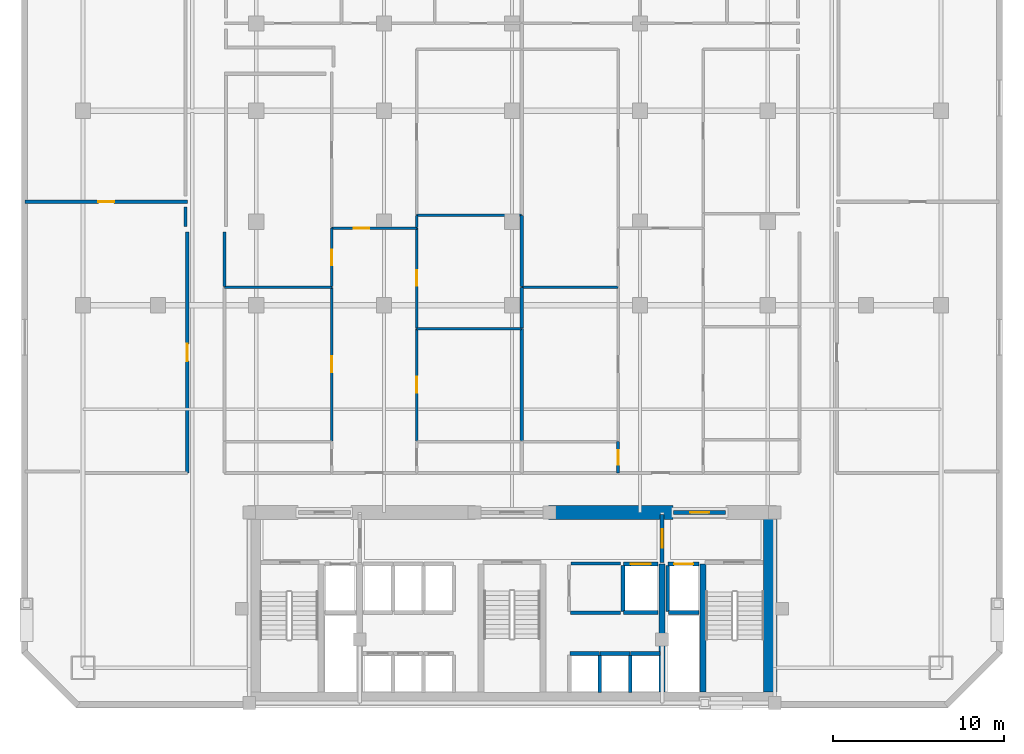
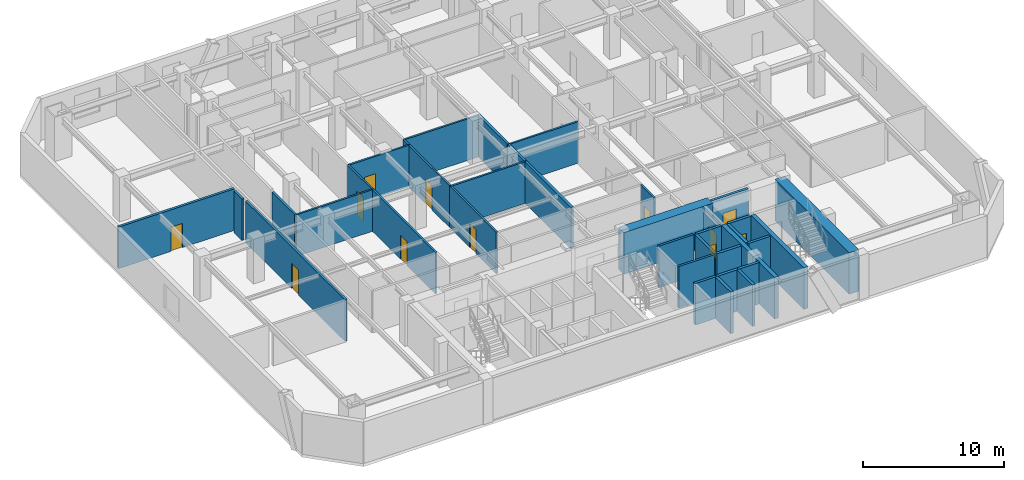
# One storey, part 4 of 8: 37 walls, 12 doors, 12 openings.
"""IFC4 building model written with IfcOpenShell, lengths in metres."""

from ifc_helpers import new_model, si_unit, direction, frame, frame_2d, origin, place, context, subcontext, project, spatial, rectangle, extrude, material, layer, layer_set, type_object, element, fill, save


model = new_model("IFC4")

# Units and contexts
model_context = context("Model", 3, precision=1e-05, world=origin(), true_north=direction((0.0, 1.0)))
body_context = subcontext(model_context, "Body", "Model", "MODEL_VIEW")
ifc_project = project(units=[si_unit("LENGTHUNIT", "METRE"), si_unit("AREAUNIT", "SQUARE_METRE"), si_unit("VOLUMEUNIT", "CUBIC_METRE"), si_unit("PLANEANGLEUNIT", "RADIAN"), si_unit("MASSUNIT", "GRAM", prefix="KILO")], contexts=[model_context])

# Site, building, storey
site_placement = place(None, origin())
site = spatial("IfcSite", under=ifc_project, at=site_placement, CompositionType="ELEMENT")
building_placement = place(site_placement, origin())
building = spatial("IfcBuilding", under=site, at=building_placement, Name="Ventersveld Concourse Tower", CompositionType="ELEMENT")
storey_placement = place(building_placement, frame((0.0, 0.0, 33.64990234375)))
storey = spatial("IfcBuildingStorey", under=building, at=storey_placement, Name="L07", CompositionType="ELEMENT", Elevation=33.64990234375)

# Walls
ifc_material_1 = material(Name="Concrete C60/75", Category="concrete")
ifc_layer_1 = layer(ifc_material_1, 0.35009765625)
ifc_layer_set_1 = layer_set([ifc_layer_1], Name="Concrete C60/75")
wall_type_1 = type_object("IfcWallType", Name="WL-CORE-350L", PredefinedType="SHEAR", material=ifc_layer_set_1)
for number, where, z_axis, x_axis, name in (
    (1, (37.550048828125, 0.919921875, 0.0), (0.0, 0.0, 1.0), (0.0, 1.0, 0.0), "L07 Core Internal Shear Web W-SVL-W"),
    (2, (39.9599609375, 0.919921875, 0.0), (0.0, 0.0, 1.0), (0.0, 1.0, 0.0), "L07 Core Internal Shear Web W-ST2-W"),
):
    element("IfcWall", number, at=place(storey_placement, frame(where, z_axis=z_axis, x_axis=x_axis)), inside=storey, type_object=wall_type_1, Name=name, PredefinedType="SHEAR", context=body_context, shape_type="SweptSolid", body=[
        extrude(rectangle(XDim=7.5, YDim=0.35009765625, at=frame_2d((3.75, 0.0))), origin(), (0.0, 0.0, 1.0), 3.60009765625),
    ])
ifc_layer_2 = layer(ifc_material_1, 0.800048828125)
ifc_layer_set_2 = layer_set([ifc_layer_2], Name="Concrete C60/75")
wall_type_2 = type_object("IfcWallType", Name="WL-CORE-800", PredefinedType="SHEAR", material=ifc_layer_set_2)
wall_1_placement = place(storey_placement, frame((43.89990234375, 0.919921875, 0.0), z_axis=(0.0, 0.0, 1.0), x_axis=(0.0, 1.0, 0.0)))
element("IfcWall", 3, at=wall_1_placement, inside=storey, type_object=wall_type_2, Name="L07 Rear Core East Shear Wall", PredefinedType="SHEAR", context=body_context, shape_type="SweptSolid", body=[
    extrude(rectangle(XDim=10.530029296875, YDim=0.800048828125, at=frame_2d((5.26513671875, 0.0))), origin(), (0.0, 0.0, 1.0), 3.60009765625),
])
wall_2_placement = place(storey_placement, frame((30.89990234375, 11.449951171875, 0.0), z_axis=(0.0, 0.0, 1.0), x_axis=(1.0, 0.0, 0.0)))
element("IfcWall", 4, at=wall_2_placement, inside=storey, type_object=wall_type_2, Name="L07 Rear Core North Shear Wall NMR", PredefinedType="SHEAR", context=body_context, shape_type="SweptSolid", body=[
    extrude(rectangle(XDim=7.300048828125, YDim=0.800048828125, at=frame_2d((3.64990234375, 0.0))), origin(), (0.0, 0.0, 1.0), 3.60009765625),
])
ifc_material_2 = material(Name="Fire-rated autoclaved aerated masonry blockwork", Category="masonry")
ifc_layer_3 = layer(ifc_material_2, 0.179931640625)
ifc_layer_set_3 = layer_set([ifc_layer_3], Name="Fire-rated autoclaved aerated masonry blockwork")
wall_type_3 = type_object("IfcWallType", Name="WL-CORR-180", PredefinedType="PARTITIONING", material=ifc_layer_set_3)
wall_3_placement = place(storey_placement, frame((32.219970703125, 8.4599609375, 0.0), z_axis=(0.0, 0.0, 1.0), x_axis=(1.0, 0.0, 0.0)))
element("IfcWall", 5, at=wall_3_placement, inside=storey, type_object=wall_type_3, Name="L07 Core Top Wall SP-L07-CBAY1", PredefinedType="PARTITIONING", context=body_context, shape_type="SweptSolid", body=[
    extrude(rectangle(XDim=2.880126953125, YDim=0.179931640625, at=frame_2d((1.43994140625, 0.0))), origin(), (0.0, 0.0, 1.0), 3.60009765625),
])
wall_4_placement = place(storey_placement, frame((32.179931640625, 5.570068359375, 0.0), z_axis=(0.0, 0.0, 1.0), x_axis=(1.0, 0.0, 0.0)))
element("IfcWall", 6, at=wall_4_placement, inside=storey, type_object=wall_type_3, Name="L07 Core Bot Wall SP-L07-CBAY1", PredefinedType="PARTITIONING", context=body_context, shape_type="SweptSolid", body=[
    extrude(rectangle(XDim=2.920166015625, YDim=0.179931640625, at=frame_2d((1.4599609375, 0.0))), origin(), (0.0, 0.0, 1.0), 3.60009765625),
])

# Wall, opening, door
wall_5_placement = place(storey_placement, frame((9.7099609375, 13.764892578125, 0.0), z_axis=(0.0, 0.0, 1.0), x_axis=(0.0, 1.0, 0.0)))
wall_5 = element("IfcWall", 7, at=wall_5_placement, inside=storey, type_object=wall_type_3, Name="L07 Interior Partition SP-L07-COR-SP-L07-NWLNG1", PredefinedType="PARTITIONING", context=body_context, shape_type="SweptSolid", body=[
    extrude(rectangle(XDim=14.130126953125, YDim=0.179931640625, at=frame_2d((7.06494140625, 0.0))), origin(), (0.0, 0.0, 1.0), 3.60009765625),
])
opening_1_placement = place(wall_5_placement, frame((6.56494140625, 0.0, 0.0)))
opening_1 = element("IfcOpeningElement", 8, at=opening_1_placement, cuts=wall_5, Name="Opening FD3", PredefinedType="OPENING", context=body_context, shape_type="SweptSolid", body=[
    extrude(rectangle(XDim=1.0, YDim=2.14990234375, at=frame_2d((0.5, 1.074951171875))), frame((0.0, 0.10009765625, 0.0), z_axis=(0.0, -1.0, 0.0), x_axis=(1.0, 0.0, 0.0)), (0.0, 0.0, 1.0), 0.199951171875),
])
ifc_material_3 = material(Name="Solid-core hardwood veneer timber", Category="wood")
door_type_1 = type_object("IfcDoorType", Name="DR-FLAT-100", OperationType="NOTDEFINED", PredefinedType="DOOR", material=ifc_material_3)
door_1_placement = place(opening_1_placement, origin())
door_1 = element("IfcDoor", 9, at=door_1_placement, inside=storey, type_object=door_type_1, Name="L07 Interior Door SP-L07-COR to SP-L07-NWLNG1 (D-L07-0226)", OperationType="SINGLE_SWING_RIGHT", OverallHeight=2.14990234375, OverallWidth=1.0, PredefinedType="DOOR", context=body_context, shape_type="SweptSolid", body=[
    extrude(rectangle(XDim=1.0, YDim=2.14990234375, at=frame_2d((0.5, 1.074951171875))), frame((0.0, 0.02490234375, 0.0), z_axis=(0.0, -1.0, 0.0), x_axis=(1.0, 0.0, 0.0)), (0.0, 0.0, 1.0), 0.050048828125),
])
fill(opening_1, door_1)

# Walls
wall_6_placement = place(storey_placement, frame((11.889892578125, 24.684814453125, 0.0), z_axis=(0.0, 0.0, 1.0), x_axis=(0.0, 1.0, 0.0)))
element("IfcWall", 10, at=wall_6_placement, inside=storey, type_object=wall_type_3, Name="L07 Interior Partition SP-L07-COR-SP-L07-07N1-DENL2", PredefinedType="PARTITIONING", context=body_context, shape_type="SweptSolid", body=[
    extrude(rectangle(XDim=3.210205078125, YDim=0.179931640625, at=frame_2d((1.60498046875, 0.0))), origin(), (0.0, 0.0, 1.0), 3.60009765625),
])
wall_7_placement = place(storey_placement, frame((9.6201171875, 29.344970703125, 0.0), z_axis=(0.0, 0.0, 1.0), x_axis=(0.0, -1.0, 0.0)))
element("IfcWall", 11, at=wall_7_placement, inside=storey, type_object=wall_type_3, Name="L07 Room Enclosure Wall SP-L07-NWLNG1", PredefinedType="PARTITIONING", context=body_context, shape_type="SweptSolid", body=[
    extrude(rectangle(XDim=1.135009765625, YDim=0.179931640625, at=frame_2d((0.5673828125, 0.0))), origin(), (0.0, 0.0, 1.0), 3.60009765625),
])

# Wall, opening, door
ifc_layer_4 = layer(ifc_material_2, 0.199951171875)
ifc_layer_set_4 = layer_set([ifc_layer_4], Name="Fire-rated autoclaved aerated masonry blockwork")
wall_type_4 = type_object("IfcWallType", Name="WL-DEMISE-200", PredefinedType="PARTITIONING", material=ifc_layer_set_4)
wall_8_placement = place(storey_placement, frame((0.2099609375, 29.669921875, 0.0), z_axis=(0.0, 0.0, 1.0), x_axis=(1.0, 0.0, 0.0)))
wall_8 = element("IfcWall", 12, at=wall_8_placement, inside=storey, type_object=wall_type_4, Name="L07 Interior Partition SP-L07-NWLNG1-SP-L07-NWLNG2", PredefinedType="PARTITIONING", context=body_context, shape_type="SweptSolid", body=[
    extrude(rectangle(XDim=9.505126953125, YDim=0.199951171875, at=frame_2d((4.75244140625, 0.0))), origin(), (0.0, 0.0, 1.0), 3.60009765625),
])
opening_2_placement = place(wall_8_placement, frame((4.29248046875, 0.0, 0.0)))
opening_2 = element("IfcOpeningElement", 13, at=opening_2_placement, cuts=wall_8, Name="Opening ID1", PredefinedType="OPENING", context=body_context, shape_type="SweptSolid", body=[
    extrude(rectangle(XDim=0.919921875, YDim=2.10009765625, at=frame_2d((0.4599609375, 1.050048828125))), frame((0.0, 0.10986328125, 0.0), z_axis=(0.0, -1.0, 0.0), x_axis=(1.0, 0.0, 0.0)), (0.0, 0.0, 1.0), 0.219970703125),
])
door_type_2 = type_object("IfcDoorType", Name="DR-ROOM-092", OperationType="NOTDEFINED", PredefinedType="DOOR", material=ifc_material_3)
door_2_placement = place(opening_2_placement, origin())
door_2 = element("IfcDoor", 14, at=door_2_placement, inside=storey, type_object=door_type_2, Name="L07 Interior Door SP-L07-NWLNG1 to SP-L07-NWLNG2 (D-L07-0230)", OperationType="SINGLE_SWING_RIGHT", OverallHeight=2.10009765625, OverallWidth=0.919921875, PredefinedType="DOOR", context=body_context, shape_type="SweptSolid", body=[
    extrude(rectangle(XDim=0.919921875, YDim=2.10009765625, at=frame_2d((0.4599609375, 1.050048828125))), frame((0.0, 0.02490234375, 0.0), z_axis=(0.0, -1.0, 0.0), x_axis=(1.0, 0.0, 0.0)), (0.0, 0.0, 1.0), 0.050048828125),
])
fill(opening_2, door_2)

# Walls
wall_9_placement = place(storey_placement, frame((29.314208984375, 15.635009765625, 0.0), z_axis=(0.0, 0.0, 1.0), x_axis=(0.0, 1.0, 0.0)))
element("IfcWall", 15, at=wall_9_placement, inside=storey, type_object=wall_type_4, Name="L07 Interior Partition SP-L07-07N1-DENR-SP-L07-07N2-DENL", PredefinedType="PARTITIONING", context=body_context, shape_type="SweptSolid", body=[
    extrude(rectangle(XDim=6.602783203125, YDim=0.199951171875, at=frame_2d((3.30126953125, 0.0))), origin(), (0.0, 0.0, 1.0), 3.60009765625),
])
wall_10_placement = place(storey_placement, frame((29.314208984375, 22.267822265625, 0.0), z_axis=(0.0, 0.0, 1.0), x_axis=(0.0, 1.0, 0.0)))
element("IfcWall", 16, at=wall_10_placement, inside=storey, type_object=wall_type_4, Name="L07 Interior Partition SP-L07-07N1-DENS-SP-L07-07N2-DENL", PredefinedType="PARTITIONING", context=body_context, shape_type="SweptSolid", body=[
    extrude(rectangle(XDim=2.386962890625, YDim=0.199951171875, at=frame_2d((1.193359375, 0.0))), origin(), (0.0, 0.0, 1.0), 3.60009765625),
])
wall_11_placement = place(storey_placement, frame((29.314208984375, 24.684814453125, 0.0), z_axis=(0.0, 0.0, 1.0), x_axis=(0.0, 1.0, 0.0)))
element("IfcWall", 17, at=wall_11_placement, inside=storey, type_object=wall_type_4, Name="L07 Interior Partition SP-L07-07N1-DENS-SP-L07-07N2-DENL2", PredefinedType="PARTITIONING", context=body_context, shape_type="SweptSolid", body=[
    extrude(rectangle(XDim=4.18603515625, YDim=0.199951171875, at=frame_2d((2.093017578125, 0.0))), origin(), (0.0, 0.0, 1.0), 3.60009765625),
])
ifc_layer_5 = layer(ifc_material_2, 0.219970703125)
ifc_layer_set_5 = layer_set([ifc_layer_5], Name="Fire-rated autoclaved aerated masonry blockwork")
wall_type_5 = type_object("IfcWallType", Name="WL-HOIST-220", PredefinedType="SOLIDWALL", material=ifc_layer_set_5)
wall_12_placement = place(storey_placement, frame((37.919921875, 5.590087890625, 0.0), z_axis=(0.0, 0.0, 1.0), x_axis=(1.0, 0.0, 0.0)))
element("IfcWall", 18, at=wall_12_placement, inside=storey, type_object=wall_type_5, Name="L07 Lift Hoistway Back Wall FFL-02", PredefinedType="SOLIDWALL", context=body_context, shape_type="SweptSolid", body=[
    extrude(rectangle(XDim=1.780029296875, YDim=0.219970703125, at=frame_2d((0.89013671875, 0.0))), origin(), (0.0, 0.0, 1.0), 3.60009765625),
])
wall_13_placement = place(storey_placement, frame((37.8798828125, 5.64990234375, 0.0), z_axis=(0.0, 0.0, 1.0), x_axis=(0.0, 1.0, 0.0)))
element("IfcWall", 19, at=wall_13_placement, inside=storey, type_object=wall_type_5, Name="L07 Lift Hoistway Side Wall FFL-02W", PredefinedType="SOLIDWALL", context=body_context, shape_type="SweptSolid", body=[
    extrude(rectangle(XDim=2.7001953125, YDim=0.219970703125, at=frame_2d((1.35009765625, 0.0))), origin(), (0.0, 0.0, 1.0), 3.60009765625),
])

# Wall, opening, door
wall_14_placement = place(storey_placement, frame((37.89990234375, 8.429931640625, 0.0), z_axis=(0.0, 0.0, 1.0), x_axis=(1.0, 0.0, 0.0)))
wall_14 = element("IfcWall", 20, at=wall_14_placement, inside=storey, type_object=wall_type_5, Name="L07 Lift Hoistway Front Wall FFL-02", PredefinedType="SOLIDWALL", context=body_context, shape_type="SweptSolid", body=[
    extrude(rectangle(XDim=1.820068359375, YDim=0.219970703125, at=frame_2d((0.91015625, 0.0))), origin(), (0.0, 0.0, 1.0), 3.60009765625),
])
opening_3_placement = place(wall_14_placement, frame((0.35009765625, 0.0, 0.0)))
opening_3 = element("IfcOpeningElement", 21, at=opening_3_placement, cuts=wall_14, Name="Opening LD1", PredefinedType="OPENING", context=body_context, shape_type="SweptSolid", body=[
    extrude(rectangle(XDim=1.1201171875, YDim=2.25, at=frame_2d((0.56005859375, 1.125))), frame((0.0, 0.1201171875, 0.0), z_axis=(0.0, -1.0, 0.0), x_axis=(1.0, 0.0, 0.0)), (0.0, 0.0, 1.0), 0.239990234375),
])
ifc_material_4 = material(Name="Brushed stainless steel 316", Category="steel")
door_type_3 = type_object("IfcDoorType", Name="LD-FF-112", OperationType="SLIDING_TO_LEFT", PredefinedType="DOOR", material=ifc_material_4)
door_3_placement = place(opening_3_placement, origin())
door_3 = element("IfcDoor", 22, at=door_3_placement, inside=storey, type_object=door_type_3, Name="L07 Lift landing door FFL-02 (LD-L07-FFL-02)", OperationType="SLIDING_TO_RIGHT", OverallHeight=2.25, OverallWidth=1.1201171875, PredefinedType="DOOR", context=body_context, shape_type="SweptSolid", body=[
    extrude(rectangle(XDim=1.1201171875, YDim=2.25, at=frame_2d((0.56005859375, 1.125))), frame((0.0, 0.02490234375, 0.0), z_axis=(0.0, -1.0, 0.0), x_axis=(1.0, 0.0, 0.0)), (0.0, 0.0, 1.0), 0.050048828125),
])
fill(opening_3, door_3)

# Walls
wall_15_placement = place(storey_placement, frame((35.300048828125, 5.590087890625, 0.0), z_axis=(0.0, 0.0, 1.0), x_axis=(1.0, 0.0, 0.0)))
element("IfcWall", 23, at=wall_15_placement, inside=storey, type_object=wall_type_5, Name="L07 Lift Hoistway Back Wall SVL-01", PredefinedType="SOLIDWALL", context=body_context, shape_type="SweptSolid", body=[
    extrude(rectangle(XDim=2.0, YDim=0.219970703125, at=frame_2d((1.0, 0.0))), origin(), (0.0, 0.0, 1.0), 3.60009765625),
])
wall_16_placement = place(storey_placement, frame((35.260009765625, 5.64990234375, 0.0), z_axis=(0.0, 0.0, 1.0), x_axis=(0.0, 1.0, 0.0)))
element("IfcWall", 24, at=wall_16_placement, inside=storey, type_object=wall_type_5, Name="L07 Lift Hoistway Side Wall SVL-01W", PredefinedType="SOLIDWALL", context=body_context, shape_type="SweptSolid", body=[
    extrude(rectangle(XDim=2.7001953125, YDim=0.219970703125, at=frame_2d((1.35009765625, 0.0))), origin(), (0.0, 0.0, 1.0), 3.60009765625),
])

# Wall, opening, door
wall_17_placement = place(storey_placement, frame((35.280029296875, 8.429931640625, 0.0), z_axis=(0.0, 0.0, 1.0), x_axis=(1.0, 0.0, 0.0)))
wall_17 = element("IfcWall", 25, at=wall_17_placement, inside=storey, type_object=wall_type_5, Name="L07 Lift Hoistway Front Wall SVL-01", PredefinedType="SOLIDWALL", context=body_context, shape_type="SweptSolid", body=[
    extrude(rectangle(XDim=2.0400390625, YDim=0.219970703125, at=frame_2d((1.02001953125, 0.0))), origin(), (0.0, 0.0, 1.0), 3.60009765625),
])
opening_4_placement = place(wall_17_placement, frame((0.429931640625, 0.0, 0.0)))
opening_4 = element("IfcOpeningElement", 26, at=opening_4_placement, cuts=wall_17, Name="Opening LD2", PredefinedType="OPENING", context=body_context, shape_type="SweptSolid", body=[
    extrude(rectangle(XDim=1.179931640625, YDim=2.199951171875, at=frame_2d((0.58984375, 1.10009765625))), frame((0.0, 0.1201171875, 0.0), z_axis=(0.0, -1.0, 0.0), x_axis=(1.0, 0.0, 0.0)), (0.0, 0.0, 1.0), 0.239990234375),
])
door_type_4 = type_object("IfcDoorType", Name="LD-PAX-118", OperationType="SLIDING_TO_LEFT", PredefinedType="DOOR", material=ifc_material_4)
door_4_placement = place(opening_4_placement, origin())
door_4 = element("IfcDoor", 27, at=door_4_placement, inside=storey, type_object=door_type_4, Name="L07 Lift landing door SVL-01 (LD-L07-SVL-01)", OperationType="SLIDING_TO_LEFT", OverallHeight=2.199951171875, OverallWidth=1.179931640625, PredefinedType="DOOR", context=body_context, shape_type="SweptSolid", body=[
    extrude(rectangle(XDim=1.179931640625, YDim=2.199951171875, at=frame_2d((0.58984375, 1.10009765625))), frame((0.0, 0.02490234375, 0.0), z_axis=(0.0, -1.0, 0.0), x_axis=(1.0, 0.0, 0.0)), (0.0, 0.0, 1.0), 0.050048828125),
])
fill(opening_4, door_4)

# Walls
wall_18_placement = place(storey_placement, frame((33.89990234375, 0.89990234375, 0.0), z_axis=(0.0, 0.0, 1.0), x_axis=(0.0, 1.0, 0.0)))
element("IfcWall", 28, at=wall_18_placement, inside=storey, type_object=wall_type_5, Name="L07 Lift Hoistway Side Wall PM-01E", PredefinedType="SOLIDWALL", context=body_context, shape_type="SweptSolid", body=[
    extrude(rectangle(XDim=2.2001953125, YDim=0.219970703125, at=frame_2d((1.10009765625, 0.0))), origin(), (0.0, 0.0, 1.0), 3.60009765625),
])
wall_19_placement = place(storey_placement, frame((32.139892578125, 3.179931640625, 0.0), z_axis=(0.0, 0.0, 1.0), x_axis=(1.0, 0.0, 0.0)))
element("IfcWall", 29, at=wall_19_placement, inside=storey, type_object=wall_type_5, Name="L07 Lift Hoistway Front Wall PM-01", PredefinedType="SOLIDWALL", context=body_context, shape_type="SweptSolid", body=[
    extrude(rectangle(XDim=1.739990234375, YDim=0.219970703125, at=frame_2d((0.8701171875, 0.0))), origin(), (0.0, 0.0, 1.0), 3.60009765625),
])
wall_20_placement = place(storey_placement, frame((35.679931640625, 0.89990234375, 0.0), z_axis=(0.0, 0.0, 1.0), x_axis=(0.0, 1.0, 0.0)))
element("IfcWall", 30, at=wall_20_placement, inside=storey, type_object=wall_type_5, Name="L07 Lift Hoistway Side Wall PM-02E", PredefinedType="SOLIDWALL", context=body_context, shape_type="SweptSolid", body=[
    extrude(rectangle(XDim=2.2001953125, YDim=0.219970703125, at=frame_2d((1.10009765625, 0.0))), origin(), (0.0, 0.0, 1.0), 3.60009765625),
])
for number, where, z_axis, x_axis, name in (
    (31, (33.919921875, 3.179931640625, 0.0), (0.0, 0.0, 1.0), (1.0, 0.0, 0.0), "L07 Lift Hoistway Front Wall PM-02"),
    (32, (35.699951171875, 3.179931640625, 0.0), (0.0, 0.0, 1.0), (1.0, 0.0, 0.0), "L07 Lift Hoistway Front Wall PM-03"),
):
    element("IfcWall", number, at=place(storey_placement, frame(where, z_axis=z_axis, x_axis=x_axis)), inside=storey, type_object=wall_type_5, Name=name, PredefinedType="SOLIDWALL", context=body_context, shape_type="SweptSolid", body=[
        extrude(rectangle(XDim=1.739990234375, YDim=0.219970703125, at=frame_2d((0.8701171875, 0.0))), origin(), (0.0, 0.0, 1.0), 3.60009765625),
    ])

# Wall, opening, door
wall_21_placement = place(storey_placement, frame((37.550048828125, 8.52001953125, 0.0), z_axis=(0.0, 0.0, 1.0), x_axis=(0.0, 1.0, 0.0)))
wall_21 = element("IfcWall", 33, at=wall_21_placement, inside=storey, type_object=wall_type_5, Name="L07 Firefighting Lobby Smoke-Stop Wall FFLE-SEP", PredefinedType="SOLIDWALL", context=body_context, shape_type="SweptSolid", body=[
    extrude(rectangle(XDim=2.800048828125, YDim=0.219970703125, at=frame_2d((1.39990234375, 0.0))), origin(), (0.0, 0.0, 1.0), 3.0556640625),
])
opening_5_placement = place(wall_21_placement, frame((0.85009765625, 0.0, 0.0)))
opening_5 = element("IfcOpeningElement", 34, at=opening_5_placement, cuts=wall_21, Name="Opening FD2", PredefinedType="OPENING", context=body_context, shape_type="SweptSolid", body=[
    extrude(rectangle(XDim=1.10009765625, YDim=2.199951171875, at=frame_2d((0.550048828125, 1.10009765625))), frame((0.0, 0.1201171875, 0.0), z_axis=(0.0, -1.0, 0.0), x_axis=(1.0, 0.0, 0.0)), (0.0, 0.0, 1.0), 0.239990234375),
])
ifc_material_5 = material(Name="Galvanised painted steel", Category="steel")
door_type_5 = type_object("IfcDoorType", Name="DR-FFL-110", OperationType="NOTDEFINED", PredefinedType="DOOR", material=ifc_material_5)
door_5_placement = place(opening_5_placement, origin())
door_5 = element("IfcDoor", 35, at=door_5_placement, inside=storey, type_object=door_type_5, Name="L07 Firefighting Lobby Door FFLE-SEP (FD-L07-0221)", OperationType="SINGLE_SWING_RIGHT", OverallHeight=2.199951171875, OverallWidth=1.10009765625, PredefinedType="DOOR", context=body_context, shape_type="SweptSolid", body=[
    extrude(rectangle(XDim=1.10009765625, YDim=2.199951171875, at=frame_2d((0.550048828125, 1.10009765625))), frame((0.0, 0.02490234375, 0.0), z_axis=(0.0, -1.0, 0.0), x_axis=(1.0, 0.0, 0.0)), (0.0, 0.0, 1.0), 0.050048828125),
])
fill(opening_5, door_5)

wall_22_placement = place(storey_placement, frame((38.22998046875, 11.449951171875, 0.0), z_axis=(0.0, 0.0, 1.0), x_axis=(1.0, 0.0, 0.0)))
wall_22 = element("IfcWall", 36, at=wall_22_placement, inside=storey, type_object=wall_type_5, Name="L07 Core North Fire Portal FFLE-OUT", PredefinedType="SOLIDWALL", context=body_context, shape_type="SweptSolid", body=[
    extrude(rectangle(XDim=3.0400390625, YDim=0.219970703125, at=frame_2d((1.52001953125, 0.0))), origin(), (0.0, 0.0, 1.0), 3.60009765625),
])
opening_6_placement = place(wall_22_placement, frame((0.969970703125, 0.0, 0.0)))
opening_6 = element("IfcOpeningElement", 37, at=opening_6_placement, cuts=wall_22, Name="Opening FD2", PredefinedType="OPENING", context=body_context, shape_type="SweptSolid", body=[
    extrude(rectangle(XDim=1.10009765625, YDim=2.199951171875, at=frame_2d((0.550048828125, 1.10009765625))), frame((0.0, 0.1201171875, 0.0), z_axis=(0.0, -1.0, 0.0), x_axis=(1.0, 0.0, 0.0)), (0.0, 0.0, 1.0), 0.239990234375),
])
door_6_placement = place(opening_6_placement, origin())
door_6 = element("IfcDoor", 38, at=door_6_placement, inside=storey, type_object=door_type_5, Name="L07 Core Lobby Fire Door FFLE-OUT (FD-L07-0224)", OperationType="SINGLE_SWING_LEFT", OverallHeight=2.199951171875, OverallWidth=1.10009765625, PredefinedType="DOOR", context=body_context, shape_type="SweptSolid", body=[
    extrude(rectangle(XDim=1.10009765625, YDim=2.199951171875, at=frame_2d((0.550048828125, 1.10009765625))), frame((0.0, 0.02490234375, 0.0), z_axis=(0.0, -1.0, 0.0), x_axis=(1.0, 0.0, 0.0)), (0.0, 0.0, 1.0), 0.050048828125),
])
fill(opening_6, door_6)

ifc_material_6 = material(Name="Autoclaved aerated masonry blockwork", Category="masonry")
ifc_layer_6 = layer(ifc_material_6, 0.14990234375)
ifc_layer_set_6 = layer_set([ifc_layer_6], Name="Autoclaved aerated masonry blockwork")
wall_type_6 = type_object("IfcWallType", Name="WL-INT-150", PredefinedType="PARTITIONING", material=ifc_layer_set_6)
wall_23_placement = place(storey_placement, frame((18.1787109375, 28.11669921875, 0.0), z_axis=(0.0, 0.0, 1.0), x_axis=(1.0, 0.0, 0.0)))
wall_23 = element("IfcWall", 39, at=wall_23_placement, inside=storey, type_object=wall_type_6, Name="L07 Interior Partition SP-L07-07N1-FOY-SP-L07-07N1-LIV", PredefinedType="PARTITIONING", context=body_context, shape_type="SweptSolid", body=[
    extrude(rectangle(XDim=4.989990234375, YDim=0.14990234375, at=frame_2d((2.4951171875, 0.0))), origin(), (0.0, 0.0, 1.0), 3.60009765625),
])
opening_7_placement = place(wall_23_placement, frame((1.28662109375, 0.0, 0.0)))
opening_7 = element("IfcOpeningElement", 40, at=opening_7_placement, cuts=wall_23, Name="Opening ID1", PredefinedType="OPENING", context=body_context, shape_type="SweptSolid", body=[
    extrude(rectangle(XDim=0.919921875, YDim=2.10009765625, at=frame_2d((0.4599609375, 1.050048828125))), frame((0.0, 0.0849609375, 0.0), z_axis=(0.0, -1.0, 0.0), x_axis=(1.0, 0.0, 0.0)), (0.0, 0.0, 1.0), 0.169921875),
])
door_7_placement = place(opening_7_placement, origin())
door_7 = element("IfcDoor", 41, at=door_7_placement, inside=storey, type_object=door_type_2, Name="L07 Interior Door SP-L07-07N1-FOY to SP-L07-07N1-LIV (D-L07-0232)", OperationType="SINGLE_SWING_RIGHT", OverallHeight=2.10009765625, OverallWidth=0.919921875, PredefinedType="DOOR", context=body_context, shape_type="SweptSolid", body=[
    extrude(rectangle(XDim=0.919921875, YDim=2.10009765625, at=frame_2d((0.4599609375, 1.050048828125))), frame((0.0, 0.02490234375, 0.0), z_axis=(0.0, -1.0, 0.0), x_axis=(1.0, 0.0, 0.0)), (0.0, 0.0, 1.0), 0.050048828125),
])
fill(opening_7, door_7)

wall_24_placement = place(storey_placement, frame((18.183837890625, 15.635009765625, 0.0), z_axis=(0.0, 0.0, 1.0), x_axis=(0.0, 1.0, 0.0)))
wall_24 = element("IfcWall", 42, at=wall_24_placement, inside=storey, type_object=wall_type_6, Name="L07 Interior Partition SP-L07-07N1-FOY-SP-L07-07N1-DENL", PredefinedType="PARTITIONING", context=body_context, shape_type="SweptSolid", body=[
    extrude(rectangle(XDim=9.019775390625, YDim=0.14990234375, at=frame_2d((4.509765625, 0.0))), origin(), (0.0, 0.0, 1.0), 3.60009765625),
])
opening_8_placement = place(wall_24_placement, frame((4.050048828125, 0.0, 0.0)))
opening_8 = element("IfcOpeningElement", 43, at=opening_8_placement, cuts=wall_24, Name="Opening ID1", PredefinedType="OPENING", context=body_context, shape_type="SweptSolid", body=[
    extrude(rectangle(XDim=0.919921875, YDim=2.10009765625, at=frame_2d((0.4599609375, 1.050048828125))), frame((0.0, 0.0849609375, 0.0), z_axis=(0.0, -1.0, 0.0), x_axis=(1.0, 0.0, 0.0)), (0.0, 0.0, 1.0), 0.169921875),
])
door_8_placement = place(opening_8_placement, origin())
door_8 = element("IfcDoor", 44, at=door_8_placement, inside=storey, type_object=door_type_2, Name="L07 Interior Door SP-L07-07N1-FOY to SP-L07-07N1-DENL (D-L07-0234)", OperationType="SINGLE_SWING_RIGHT", OverallHeight=2.10009765625, OverallWidth=0.919921875, PredefinedType="DOOR", context=body_context, shape_type="SweptSolid", body=[
    extrude(rectangle(XDim=0.919921875, YDim=2.10009765625, at=frame_2d((0.4599609375, 1.050048828125))), frame((0.0, 0.02490234375, 0.0), z_axis=(0.0, -1.0, 0.0), x_axis=(1.0, 0.0, 0.0)), (0.0, 0.0, 1.0), 0.050048828125),
])
fill(opening_8, door_8)

wall_25_placement = place(storey_placement, frame((18.183837890625, 24.684814453125, 0.0), z_axis=(0.0, 0.0, 1.0), x_axis=(0.0, 1.0, 0.0)))
wall_25 = element("IfcWall", 45, at=wall_25_placement, inside=storey, type_object=wall_type_6, Name="L07 Interior Partition SP-L07-07N1-FOY-SP-L07-07N1-DENL2", PredefinedType="PARTITIONING", context=body_context, shape_type="SweptSolid", body=[
    extrude(rectangle(XDim=3.436767578125, YDim=0.14990234375, at=frame_2d((1.71826171875, 0.0))), origin(), (0.0, 0.0, 1.0), 3.60009765625),
])
opening_9_placement = place(wall_25_placement, frame((1.25830078125, 0.0, 0.0)))
opening_9 = element("IfcOpeningElement", 46, at=opening_9_placement, cuts=wall_25, Name="Opening ID1", PredefinedType="OPENING", context=body_context, shape_type="SweptSolid", body=[
    extrude(rectangle(XDim=0.919921875, YDim=2.10009765625, at=frame_2d((0.4599609375, 1.050048828125))), frame((0.0, 0.0849609375, 0.0), z_axis=(0.0, -1.0, 0.0), x_axis=(1.0, 0.0, 0.0)), (0.0, 0.0, 1.0), 0.169921875),
])
door_9_placement = place(opening_9_placement, origin())
door_9 = element("IfcDoor", 47, at=door_9_placement, inside=storey, type_object=door_type_2, Name="L07 Interior Door SP-L07-07N1-FOY to SP-L07-07N1-DENL2 (D-L07-0235)", OperationType="SINGLE_SWING_LEFT", OverallHeight=2.10009765625, OverallWidth=0.919921875, PredefinedType="DOOR", context=body_context, shape_type="SweptSolid", body=[
    extrude(rectangle(XDim=0.919921875, YDim=2.10009765625, at=frame_2d((0.4599609375, 1.050048828125))), frame((0.0, 0.02490234375, 0.0), z_axis=(0.0, -1.0, 0.0), x_axis=(1.0, 0.0, 0.0)), (0.0, 0.0, 1.0), 0.050048828125),
])
fill(opening_9, door_9)

wall_26_placement = place(storey_placement, frame((23.163818359375, 15.635009765625, 0.0), z_axis=(0.0, 0.0, 1.0), x_axis=(0.0, 1.0, 0.0)))
wall_26 = element("IfcWall", 48, at=wall_26_placement, inside=storey, type_object=wall_type_6, Name="L07 Interior Partition SP-L07-07N1-FOY-SP-L07-07N1-DENR", PredefinedType="PARTITIONING", context=body_context, shape_type="SweptSolid", body=[
    extrude(rectangle(XDim=6.602783203125, YDim=0.14990234375, at=frame_2d((3.30126953125, 0.0))), origin(), (0.0, 0.0, 1.0), 3.60009765625),
])
opening_10_placement = place(wall_26_placement, frame((2.841552734375, 0.0, 0.0)))
opening_10 = element("IfcOpeningElement", 49, at=opening_10_placement, cuts=wall_26, Name="Opening ID1", PredefinedType="OPENING", context=body_context, shape_type="SweptSolid", body=[
    extrude(rectangle(XDim=0.919921875, YDim=2.10009765625, at=frame_2d((0.4599609375, 1.050048828125))), frame((0.0, 0.0849609375, 0.0), z_axis=(0.0, -1.0, 0.0), x_axis=(1.0, 0.0, 0.0)), (0.0, 0.0, 1.0), 0.169921875),
])
door_10_placement = place(opening_10_placement, origin())
door_10 = element("IfcDoor", 50, at=door_10_placement, inside=storey, type_object=door_type_2, Name="L07 Interior Door SP-L07-07N1-FOY to SP-L07-07N1-DENR (D-L07-0237)", OperationType="SINGLE_SWING_LEFT", OverallHeight=2.10009765625, OverallWidth=0.919921875, PredefinedType="DOOR", context=body_context, shape_type="SweptSolid", body=[
    extrude(rectangle(XDim=0.919921875, YDim=2.10009765625, at=frame_2d((0.4599609375, 1.050048828125))), frame((0.0, 0.02490234375, 0.0), z_axis=(0.0, -1.0, 0.0), x_axis=(1.0, 0.0, 0.0)), (0.0, 0.0, 1.0), 0.050048828125),
])
fill(opening_10, door_10)

wall_27_placement = place(storey_placement, frame((23.163818359375, 22.267822265625, 0.0), z_axis=(0.0, 0.0, 1.0), x_axis=(0.0, 1.0, 0.0)))
wall_27 = element("IfcWall", 51, at=wall_27_placement, inside=storey, type_object=wall_type_6, Name="L07 Interior Partition SP-L07-07N1-FOY-SP-L07-07N1-DENS", PredefinedType="PARTITIONING", context=body_context, shape_type="SweptSolid", body=[
    extrude(rectangle(XDim=5.853759765625, YDim=0.14990234375, at=frame_2d((2.9267578125, 0.0))), origin(), (0.0, 0.0, 1.0), 3.60009765625),
])
opening_11_placement = place(wall_27_placement, frame((2.466796875, 0.0, 0.0)))
opening_11 = element("IfcOpeningElement", 52, at=opening_11_placement, cuts=wall_27, Name="Opening ID1", PredefinedType="OPENING", context=body_context, shape_type="SweptSolid", body=[
    extrude(rectangle(XDim=0.919921875, YDim=2.10009765625, at=frame_2d((0.4599609375, 1.050048828125))), frame((0.0, 0.0849609375, 0.0), z_axis=(0.0, -1.0, 0.0), x_axis=(1.0, 0.0, 0.0)), (0.0, 0.0, 1.0), 0.169921875),
])
door_11_placement = place(opening_11_placement, origin())
door_11 = element("IfcDoor", 53, at=door_11_placement, inside=storey, type_object=door_type_2, Name="L07 Interior Door SP-L07-07N1-FOY to SP-L07-07N1-DENS (D-L07-0238)", OperationType="SINGLE_SWING_RIGHT", OverallHeight=2.10009765625, OverallWidth=0.919921875, PredefinedType="DOOR", context=body_context, shape_type="SweptSolid", body=[
    extrude(rectangle(XDim=0.919921875, YDim=2.10009765625, at=frame_2d((0.4599609375, 1.050048828125))), frame((0.0, 0.02490234375, 0.0), z_axis=(0.0, -1.0, 0.0), x_axis=(1.0, 0.0, 0.0)), (0.0, 0.0, 1.0), 0.050048828125),
])
fill(opening_11, door_11)

# Walls
wall_28_placement = place(storey_placement, frame((23.163818359375, 28.151611328125, 0.0), z_axis=(0.0, 0.0, 1.0), x_axis=(0.0, 1.0, 0.0)))
element("IfcWall", 54, at=wall_28_placement, inside=storey, type_object=wall_type_6, Name="L07 Interior Partition SP-L07-07N1-LIV-SP-L07-07N1-DENS", PredefinedType="PARTITIONING", context=body_context, shape_type="SweptSolid", body=[
    extrude(rectangle(XDim=0.71923828125, YDim=0.14990234375, at=frame_2d((0.359619140625, 0.0))), origin(), (0.0, 0.0, 1.0), 3.60009765625),
])
wall_29_placement = place(storey_placement, frame((11.885009765625, 24.64990234375, 0.0), z_axis=(0.0, 0.0, 1.0), x_axis=(1.0, 0.0, 0.0)))
element("IfcWall", 55, at=wall_29_placement, inside=storey, type_object=wall_type_6, Name="L07 Interior Partition SP-L07-07N1-DENL-SP-L07-07N1-DENL2", PredefinedType="PARTITIONING", context=body_context, shape_type="SweptSolid", body=[
    extrude(rectangle(XDim=6.3037109375, YDim=0.14990234375, at=frame_2d((3.15185546875, 0.0))), origin(), (0.0, 0.0, 1.0), 3.60009765625),
])
for number, where, z_axis, x_axis, name in (
    (56, (23.15869140625, 22.23291015625, 0.0), (0.0, 0.0, 1.0), (1.0, 0.0, 0.0), "L07 Interior Partition SP-L07-07N1-DENR-SP-L07-07N1-DENS"),
    (57, (23.15869140625, 28.86572265625, 0.0), (0.0, 0.0, 1.0), (1.0, 0.0, 0.0), "L07 Interior Partition SP-L07-07N1-DENS-SP-L07-07N1-DENS2"),
):
    element("IfcWall", number, at=place(storey_placement, frame(where, z_axis=z_axis, x_axis=x_axis)), inside=storey, type_object=wall_type_6, Name=name, PredefinedType="PARTITIONING", context=body_context, shape_type="SweptSolid", body=[
        extrude(rectangle(XDim=6.160400390625, YDim=0.14990234375, at=frame_2d((3.080078125, 0.0))), origin(), (0.0, 0.0, 1.0), 3.60009765625),
    ])
wall_30_placement = place(storey_placement, frame((29.30908203125, 24.64990234375, 0.0), z_axis=(0.0, 0.0, 1.0), x_axis=(1.0, 0.0, 0.0)))
element("IfcWall", 58, at=wall_30_placement, inside=storey, type_object=wall_type_6, Name="L07 Interior Partition SP-L07-07N2-DENL-SP-L07-07N2-DENL2", PredefinedType="PARTITIONING", context=body_context, shape_type="SweptSolid", body=[
    extrude(rectangle(XDim=5.66796875, YDim=0.14990234375, at=frame_2d((2.833984375, 0.0))), origin(), (0.0, 0.0, 1.0), 3.60009765625),
])

# Wall, opening, door
ifc_layer_7 = layer(ifc_material_6, 0.1650390625)
ifc_layer_set_7 = layer_set([ifc_layer_7], Name="Autoclaved aerated masonry blockwork")
wall_type_7 = type_object("IfcWallType", Name="WL-WET-165", PredefinedType="PLUMBINGWALL", material=ifc_layer_set_7)
wall_31_placement = place(storey_placement, frame((34.97216796875, 13.764892578125, 0.0), z_axis=(0.0, 0.0, 1.0), x_axis=(0.0, 1.0, 0.0)))
wall_31 = element("IfcWall", 59, at=wall_31_placement, inside=storey, type_object=wall_type_7, Name="L07 Interior Partition SP-L07-07N2-FOY-SP-L07-07N2-BATH", PredefinedType="PLUMBINGWALL", context=body_context, shape_type="SweptSolid", body=[
    extrude(rectangle(XDim=1.840087890625, YDim=0.1650390625, at=frame_2d((0.919921875, 0.0))), origin(), (0.0, 0.0, 1.0), 3.60009765625),
])
opening_12_placement = place(wall_31_placement, frame((0.4951171875, 0.0, 0.0)))
opening_12 = element("IfcOpeningElement", 60, at=opening_12_placement, cuts=wall_31, Name="Opening ID2", PredefinedType="OPENING", context=body_context, shape_type="SweptSolid", body=[
    extrude(rectangle(XDim=0.85009765625, YDim=2.10009765625, at=frame_2d((0.425048828125, 1.050048828125))), frame((0.0, 0.092529296875, 0.0), z_axis=(0.0, -1.0, 0.0), x_axis=(1.0, 0.0, 0.0)), (0.0, 0.0, 1.0), 0.18505859375),
])
door_type_6 = type_object("IfcDoorType", Name="DR-BATH-085", OperationType="NOTDEFINED", PredefinedType="DOOR", material=ifc_material_3)
door_12_placement = place(opening_12_placement, origin())
door_12 = element("IfcDoor", 61, at=door_12_placement, inside=storey, type_object=door_type_6, Name="L07 Interior Door SP-L07-07N2-FOY to SP-L07-07N2-BATH (D-L07-0245)", OperationType="SINGLE_SWING_LEFT", OverallHeight=2.10009765625, OverallWidth=0.85009765625, PredefinedType="DOOR", context=body_context, shape_type="SweptSolid", body=[
    extrude(rectangle(XDim=0.85009765625, YDim=2.10009765625, at=frame_2d((0.425048828125, 1.050048828125))), frame((0.0, 0.02490234375, 0.0), z_axis=(0.0, -1.0, 0.0), x_axis=(1.0, 0.0, 0.0)), (0.0, 0.0, 1.0), 0.050048828125),
])
fill(opening_12, door_12)

save(model, "model.ifc")
